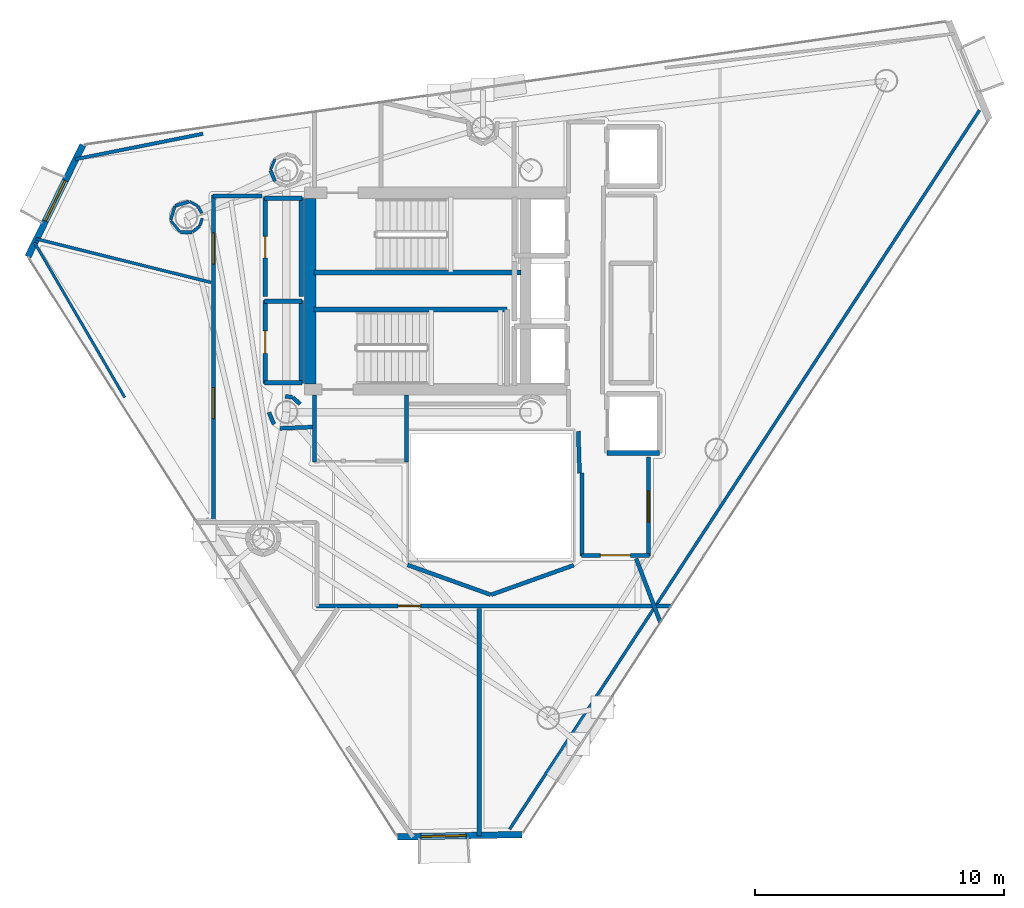
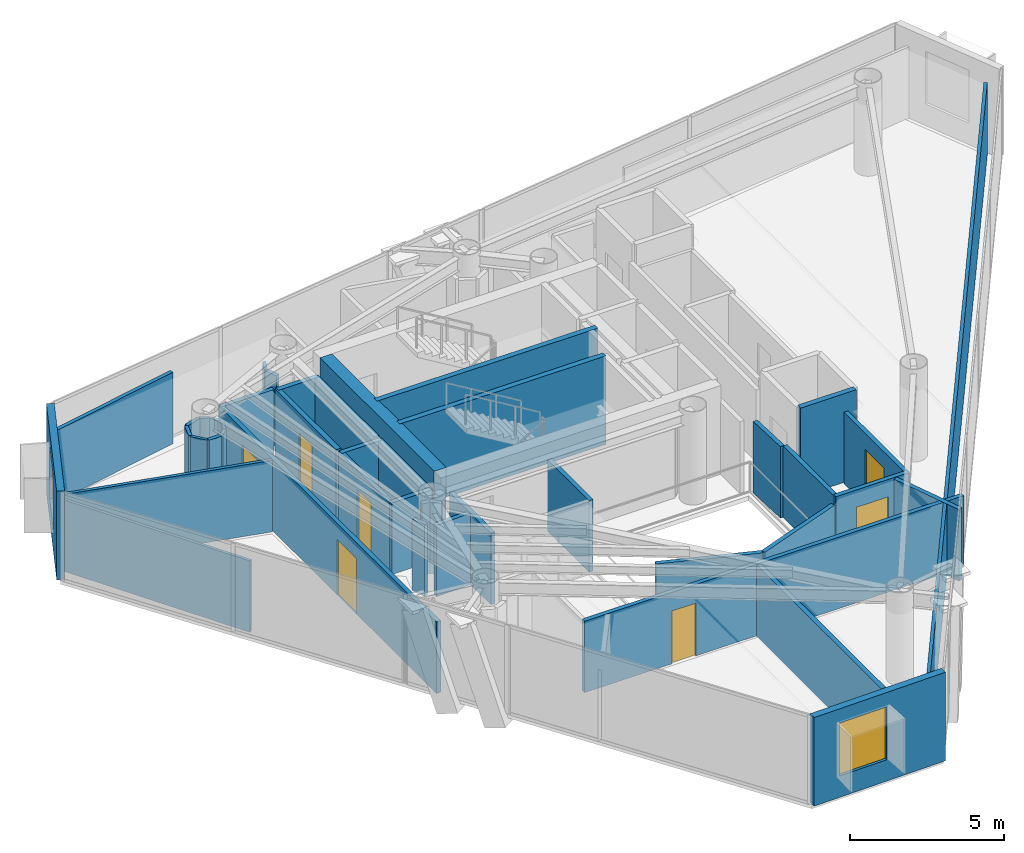
# One storey, part 20 of 25: 44 walls, 7 doors, 2 windows, 9 openings.
"""IFC4 building model written with IfcOpenShell, lengths in metres."""

from ifc_helpers import new_model, si_unit, direction, frame, frame_2d, origin, place, context, subcontext, project, spatial, rectangle, extrude, material, layer, layer_set, type_object, element, fill, save


model = new_model("IFC4")

# Units and contexts
model_context = context("Model", 3, precision=1e-05, world=origin(), true_north=direction((0.0, 1.0)))
body_context = subcontext(model_context, "Body", "Model", "MODEL_VIEW")
ifc_project = project(units=[si_unit("LENGTHUNIT", "METRE"), si_unit("AREAUNIT", "SQUARE_METRE"), si_unit("VOLUMEUNIT", "CUBIC_METRE"), si_unit("PLANEANGLEUNIT", "RADIAN"), si_unit("MASSUNIT", "GRAM", prefix="KILO")], contexts=[model_context])

# Site, building, storey
site_placement = place(None, origin())
site = spatial("IfcSite", under=ifc_project, at=site_placement, CompositionType="ELEMENT")
building_placement = place(site_placement, origin())
building = spatial("IfcBuilding", under=site, at=building_placement, Name="Qianvela Tower", CompositionType="ELEMENT")
storey_placement = place(building_placement, frame((0.0, 0.0, 288.0)))
storey = spatial("IfcBuildingStorey", under=building, at=storey_placement, Name="L74", CompositionType="ELEMENT", Elevation=288.0)

# Wall, opening, window
ifc_material_1 = material(Name="Terracotta Cladding on Concrete C40", Category="masonry")
ifc_layer_1 = layer(ifc_material_1, 0.260009765625)
ifc_layer_set_1 = layer_set([ifc_layer_1], Name="Terracotta Cladding on Concrete C40")
wall_type_1 = type_object("IfcWallType", Name="TERRACOTTA-WALL-260", PredefinedType="SOLIDWALL", material=ifc_layer_set_1)
wall_1_placement = place(storey_placement, frame((20.436279296875, 34.563232421875, 0.0), z_axis=(0.0, 0.0, 1.0), x_axis=(-0.440488239438, -0.897758381145, 0.0)))
wall_1 = element("IfcWall", 1, at=wall_1_placement, inside=storey, type_object=wall_type_1, Name="L74 Terracotta Chamfer Facet Wall 3", PredefinedType="SOLIDWALL", context=body_context, shape_type="SweptSolid", body=[
    extrude(rectangle(XDim=4.989990234375, YDim=0.260009765625, at=frame_2d((2.4951171875, 0.0))), origin(), (0.0, 0.0, 1.0), 3.52001953125),
])
opening_1_placement = place(wall_1_placement, frame((1.594970703125, 0.0, 0.85009765625)))
opening_1 = element("IfcOpeningElement", 2, at=opening_1_placement, cuts=wall_1, Name="Opening W-01", PredefinedType="OPENING", context=body_context, shape_type="SweptSolid", body=[
    extrude(rectangle(XDim=1.800048828125, YDim=2.10009765625, at=frame_2d((0.89990234375, 1.050048828125))), frame((0.0, 0.139892578125, 0.0), z_axis=(0.0, -1.0, 0.0), x_axis=(1.0, 0.0, 0.0)), (0.0, 0.0, 1.0), 0.280029296875),
])
ifc_material_2 = material(Name="Thermally Broken Aluminium and Low-E Glass", Category="aluminium")
window_type = type_object("IfcWindowType", Name="WIN-TC-1800x2100", PartitioningType="DOUBLE_PANEL_VERTICAL", PredefinedType="WINDOW", material=ifc_material_2)
window_1_placement = place(opening_1_placement, origin())
window_1 = element("IfcWindow", 3, at=window_1_placement, inside=storey, type_object=window_type, Name="L74 Chamfer Facet Window 3.1", OverallHeight=2.10009765625, OverallWidth=1.800048828125, PartitioningType="SINGLE_PANEL", PredefinedType="WINDOW", context=body_context, shape_type="SweptSolid", body=[
    extrude(rectangle(XDim=1.800048828125, YDim=2.10009765625, at=frame_2d((0.89990234375, 1.050048828125))), frame((0.0, 0.030029296875, 0.0), z_axis=(0.0, -1.0, 0.0), x_axis=(1.0, 0.0, 0.0)), (0.0, 0.0, 1.0), 0.06005859375),
])
fill(opening_1, window_1)

wall_2_placement = place(storey_placement, frame((33.047119140625, 6.8203125, 0.0), z_axis=(0.0, 0.0, 1.0), x_axis=(0.999816998349, 0.019130337478, 0.0)))
wall_2 = element("IfcWall", 4, at=wall_2_placement, inside=storey, type_object=wall_type_1, Name="L74 Terracotta Chamfer Facet Wall 5", PredefinedType="SOLIDWALL", context=body_context, shape_type="SweptSolid", body=[
    extrude(rectangle(XDim=4.989990234375, YDim=0.260009765625, at=frame_2d((2.4951171875, 0.0))), origin(), (0.0, 0.0, 1.0), 3.52001953125),
])
opening_2_placement = place(wall_2_placement, frame((0.955078125, 0.0, 0.85009765625)))
opening_2 = element("IfcOpeningElement", 5, at=opening_2_placement, cuts=wall_2, Name="Opening W-01", PredefinedType="OPENING", context=body_context, shape_type="SweptSolid", body=[
    extrude(rectangle(XDim=1.800048828125, YDim=2.10009765625, at=frame_2d((0.89990234375, 1.050048828125))), frame((0.0, 0.139892578125, 0.0), z_axis=(0.0, -1.0, 0.0), x_axis=(1.0, 0.0, 0.0)), (0.0, 0.0, 1.0), 0.280029296875),
])
window_2_placement = place(opening_2_placement, origin())
window_2 = element("IfcWindow", 6, at=window_2_placement, inside=storey, type_object=window_type, Name="L74 Chamfer Facet Window 5.1", OverallHeight=2.10009765625, OverallWidth=1.800048828125, PartitioningType="SINGLE_PANEL", PredefinedType="WINDOW", context=body_context, shape_type="SweptSolid", body=[
    extrude(rectangle(XDim=1.800048828125, YDim=2.10009765625, at=frame_2d((0.89990234375, 1.050048828125))), frame((0.0, 0.030029296875, 0.0), z_axis=(0.0, -1.0, 0.0), x_axis=(1.0, 0.0, 0.0)), (0.0, 0.0, 1.0), 0.06005859375),
])
fill(opening_2, window_2)

# Walls
ifc_material_3 = material(Name="Concrete C50", Category="concrete")
ifc_layer_2 = layer(ifc_material_3, 0.449951171875)
ifc_layer_set_2 = layer_set([ifc_layer_2], Name="Concrete C50")
wall_type_2 = type_object("IfcWallType", Name="WT-CORE-450", PredefinedType="SHEAR", material=ifc_layer_set_2)
wall_3_placement = place(storey_placement, frame((29.554931640625, 24.97998046875, 0.0), z_axis=(0.0, 0.0, 1.0), x_axis=(0.0, 1.0, 0.0)))
element("IfcWall", 7, at=wall_3_placement, inside=storey, type_object=wall_type_2, Name="L74 West Core Shear Wall", PredefinedType="SHEAR", context=body_context, shape_type="SweptSolid", body=[
    extrude(rectangle(XDim=7.43994140625, YDim=0.449951171875, at=frame_2d((3.719970703125, 0.0))), origin(), (0.0, 0.0, 1.0), 3.52001953125),
])
ifc_material_4 = material(Name="Fire-Rated Gypsum and Concrete Block", Category="concrete")
ifc_layer_3 = layer(ifc_material_4, 0.159912109375)
ifc_layer_set_3 = layer_set([ifc_layer_3], Name="Fire-Rated Gypsum and Concrete Block")
wall_type_3 = type_object("IfcWallType", Name="WT-CORR-160", PredefinedType="PARTITIONING", material=ifc_layer_set_3)
for number, where, z_axis, x_axis, name in (
    (8, (29.73095703125, 21.85009765625, 0.0), (0.0, 0.0, 1.0), (0.0, 1.0, 0.0), "L74 Partition 6"),
    (9, (33.4189453125, 24.5419921875, 0.0), (0.0, 0.0, 1.0), (0.0, -1.0, 0.0), "L74 Partition 8"),
):
    element("IfcWall", number, at=place(storey_placement, frame(where, z_axis=z_axis, x_axis=x_axis)), inside=storey, type_object=wall_type_3, Name=name, PredefinedType="PARTITIONING", context=body_context, shape_type="SweptSolid", body=[
        extrude(rectangle(XDim=2.69189453125, YDim=0.159912109375, at=frame_2d((1.345947265625, 0.0))), origin(), (0.0, 0.0, 1.0), 2.840087890625),
    ])
wall_4_placement = place(storey_placement, frame((40.35107421875, 21.40087890625, 0.0), z_axis=(0.0, 0.0, 1.0), x_axis=(-0.031058045979, 0.999517582527, 0.0)))
element("IfcWall", 10, at=wall_4_placement, inside=storey, type_object=wall_type_3, Name="L74 Partition 9", PredefinedType="PARTITIONING", context=body_context, shape_type="SweptSolid", body=[
    extrude(rectangle(XDim=1.68212890625, YDim=0.159912109375, at=frame_2d((0.841064453125, 0.0))), origin(), (0.0, 0.0, 1.0), 2.840087890625),
])

# Wall, opening, door
wall_5_placement = place(storey_placement, frame((43.118896484375, 22.050048828125, 0.0), z_axis=(0.0, 0.0, 1.0), x_axis=(0.0, -1.0, 0.0)))
wall_5 = element("IfcWall", 11, at=wall_5_placement, inside=storey, type_object=wall_type_3, Name="L74 Partition 16", PredefinedType="PARTITIONING", context=body_context, shape_type="SweptSolid", body=[
    extrude(rectangle(XDim=3.969970703125, YDim=0.159912109375, at=frame_2d((1.98486328125, 0.0))), origin(), (0.0, 0.0, 1.0), 2.840087890625),
])
opening_3_placement = place(wall_5_placement, frame((1.360107421875, 0.0, 0.0)))
opening_3 = element("IfcOpeningElement", 12, at=opening_3_placement, cuts=wall_5, Name="Opening D-LG1", PredefinedType="OPENING", context=body_context, shape_type="SweptSolid", body=[
    extrude(rectangle(XDim=1.25, YDim=2.199951171875, at=frame_2d((0.625, 1.10009765625))), frame((0.0, 0.08984375, 0.0), z_axis=(0.0, -1.0, 0.0), x_axis=(1.0, 0.0, 0.0)), (0.0, 0.0, 1.0), 0.179931640625),
])
ifc_material_5 = material(Name="Anodised Aluminium Acoustic Glass Door", Category="aluminium")
door_type_1 = type_object("IfcDoorType", Name="DT-LOUNGE-1250", OperationType="NOTDEFINED", PredefinedType="DOOR", material=ifc_material_5)
door_1_placement = place(opening_3_placement, origin())
door_1 = element("IfcDoor", 13, at=door_1_placement, inside=storey, type_object=door_type_1, Name="L74 Door Campus Convenience Shop L74-03 to L74 Lift Lobby", OperationType="SINGLE_SWING_LEFT", OverallHeight=2.199951171875, OverallWidth=1.25, PredefinedType="DOOR", context=body_context, shape_type="SweptSolid", body=[
    extrude(rectangle(XDim=1.25, YDim=2.199951171875, at=frame_2d((0.625, 1.10009765625))), frame((0.0, 0.02490234375, 0.0), z_axis=(0.0, -1.0, 0.0), x_axis=(1.0, 0.0, 0.0)), (0.0, 0.0, 1.0), 0.050048828125),
])
fill(opening_3, door_1)

wall_6_placement = place(storey_placement, frame((43.14990234375, 18.111083984375, 0.0), z_axis=(0.0, 0.0, 1.0), x_axis=(-1.0, 0.0, 0.0)))
wall_6 = element("IfcWall", 14, at=wall_6_placement, inside=storey, type_object=wall_type_3, Name="L74 Partition 17", PredefinedType="PARTITIONING", context=body_context, shape_type="SweptSolid", body=[
    extrude(rectangle(XDim=2.72998046875, YDim=0.159912109375, at=frame_2d((1.364990234375, 0.0))), origin(), (0.0, 0.0, 1.0), 2.840087890625),
])
opening_4_placement = place(wall_6_placement, frame((0.764892578125, 0.0, 0.0)))
opening_4 = element("IfcOpeningElement", 15, at=opening_4_placement, cuts=wall_6, Name="Opening D-LB1", PredefinedType="OPENING", context=body_context, shape_type="SweptSolid", body=[
    extrude(rectangle(XDim=1.199951171875, YDim=2.14990234375, at=frame_2d((0.60009765625, 1.074951171875))), frame((0.0, 0.08984375, 0.0), z_axis=(0.0, -1.0, 0.0), x_axis=(1.0, 0.0, 0.0)), (0.0, 0.0, 1.0), 0.179931640625),
])
ifc_material_6 = material(Name="Glazed Fire-Rated Steel Frame", Category="steel")
door_type_2 = type_object("IfcDoorType", Name="DT-LOBBY-FD90", OperationType="NOTDEFINED", PredefinedType="DOOR", material=ifc_material_6)
door_2_placement = place(opening_4_placement, origin())
door_2 = element("IfcDoor", 16, at=door_2_placement, inside=storey, type_object=door_type_2, Name="L74 Door L74 Lift Lobby to L74 Floor Corridor", OperationType="SINGLE_SWING_LEFT", OverallHeight=2.14990234375, OverallWidth=1.199951171875, PredefinedType="DOOR", context=body_context, shape_type="SweptSolid", body=[
    extrude(rectangle(XDim=1.199951171875, YDim=2.14990234375, at=frame_2d((0.60009765625, 1.074951171875))), frame((0.0, 0.02490234375, 0.0), z_axis=(0.0, -1.0, 0.0), x_axis=(1.0, 0.0, 0.0)), (0.0, 0.0, 1.0), 0.050048828125),
])
fill(opening_4, door_2)

# Walls
wall_7_placement = place(storey_placement, frame((40.450927734375, 18.080078125, 0.0), z_axis=(0.0, 0.0, 1.0), x_axis=(0.0, 1.0, 0.0)))
element("IfcWall", 17, at=wall_7_placement, inside=storey, type_object=wall_type_3, Name="L74 Partition 18 seg 1", PredefinedType="PARTITIONING", context=body_context, shape_type="SweptSolid", body=[
    extrude(rectangle(XDim=3.31982421875, YDim=0.159912109375, at=frame_2d((1.659912109375, 0.0))), origin(), (0.0, 0.0, 1.0), 2.840087890625),
])
wall_8_placement = place(storey_placement, frame((29.148681640625, 24.173095703125, 0.0), z_axis=(0.0, 0.0, 1.0), x_axis=(-0.745225165416, 0.666812906917, 0.0)))
element("IfcWall", 18, at=wall_8_placement, inside=storey, type_object=wall_type_3, Name="L74 Partition 47", PredefinedType="PARTITIONING", context=body_context, shape_type="SweptSolid", body=[
    extrude(rectangle(XDim=0.3955078125, YDim=0.159912109375, at=frame_2d((0.19775390625, 0.0))), origin(), (0.0, 0.0, 1.0), 2.840087890625),
])
wall_9_placement = place(storey_placement, frame((28.837890625, 24.444091796875, 0.0), z_axis=(0.0, 0.0, 1.0), x_axis=(-0.989449148305, 0.144880581578, 0.0)))
element("IfcWall", 19, at=wall_9_placement, inside=storey, type_object=wall_type_3, Name="L74 Partition 48", PredefinedType="PARTITIONING", context=body_context, shape_type="SweptSolid", body=[
    extrude(rectangle(XDim=0.286376953125, YDim=0.159912109375, at=frame_2d((0.14306640625, 0.0))), origin(), (0.0, 0.0, 1.0), 2.840087890625),
])
wall_10_placement = place(storey_placement, frame((27.9013671875, 23.838134765625, 0.0), z_axis=(0.0, 0.0, 1.0), x_axis=(0.382856448334, -0.923807847969, 0.0)))
element("IfcWall", 20, at=wall_10_placement, inside=storey, type_object=wall_type_3, Name="L74 Partition 58", PredefinedType="PARTITIONING", context=body_context, shape_type="SweptSolid", body=[
    extrude(rectangle(XDim=0.5126953125, YDim=0.159912109375, at=frame_2d((0.25634765625, 0.0))), origin(), (0.0, 0.0, 1.0), 2.840087890625),
])
wall_11_placement = place(storey_placement, frame((28.3447265625, 23.199951171875, 0.0), z_axis=(0.0, 0.0, 1.0), x_axis=(0.999216536924, 0.039576664043, 0.0)))
element("IfcWall", 21, at=wall_11_placement, inside=storey, type_object=wall_type_3, Name="L74 Partition 59", PredefinedType="PARTITIONING", context=body_context, shape_type="SweptSolid", body=[
    extrude(rectangle(XDim=1.29541015625, YDim=0.159912109375, at=frame_2d((0.647705078125, 0.0))), origin(), (0.0, 0.0, 1.0), 2.840087890625),
])
wall_12_placement = place(storey_placement, frame((33.45751953125, 17.723876953125, 0.0), z_axis=(0.0, 0.0, 1.0), x_axis=(0.94128854789, -0.337603124408, 0.0)))
element("IfcWall", 22, at=wall_12_placement, inside=storey, type_object=wall_type_3, Name="L74 Partition 62", PredefinedType="PARTITIONING", context=body_context, shape_type="SweptSolid", body=[
    extrude(rectangle(XDim=3.539794921875, YDim=0.159912109375, at=frame_2d((1.77001953125, 0.0))), origin(), (0.0, 0.0, 1.0), 2.840087890625),
])
wall_13_placement = place(storey_placement, frame((36.810302734375, 16.52880859375, 0.0), z_axis=(0.0, 0.0, 1.0), x_axis=(0.941548344365, 0.33687789364, 0.0)))
element("IfcWall", 23, at=wall_13_placement, inside=storey, type_object=wall_type_3, Name="L74 Partition 63", PredefinedType="PARTITIONING", context=body_context, shape_type="SweptSolid", body=[
    extrude(rectangle(XDim=3.5126953125, YDim=0.159912109375, at=frame_2d((1.75634765625, 0.0))), origin(), (0.0, 0.0, 1.0), 2.840087890625),
])
wall_14_placement = place(storey_placement, frame((42.618896484375, 17.97998046875, 0.0), z_axis=(0.0, 0.0, 1.0), x_axis=(0.354310790583, -0.935127725862, 0.0)))
element("IfcWall", 24, at=wall_14_placement, inside=storey, type_object=wall_type_3, Name="L74 Partition 65", PredefinedType="PARTITIONING", context=body_context, shape_type="SweptSolid", body=[
    extrude(rectangle(XDim=2.7431640625, YDim=0.159912109375, at=frame_2d((1.37158203125, 0.0))), origin(), (0.0, 0.0, 1.0), 2.840087890625),
])

# Wall, opening, door
wall_15_placement = place(storey_placement, frame((44.04638671875, 16.0810546875, 0.0), z_axis=(0.0, 0.0, 1.0), x_axis=(-1.0, 0.0, 0.0)))
wall_15 = element("IfcWall", 25, at=wall_15_placement, inside=storey, type_object=wall_type_3, Name="L74 Partition 66", PredefinedType="PARTITIONING", context=body_context, shape_type="SweptSolid", body=[
    extrude(rectangle(XDim=14.246337890625, YDim=0.159912109375, at=frame_2d((7.123046875, 0.0))), origin(), (0.0, 0.0, 1.0), 2.840087890625),
])
opening_5_placement = place(wall_15_placement, frame((10.068603515625, 0.0, 0.0)))
opening_5 = element("IfcOpeningElement", 26, at=opening_5_placement, cuts=wall_15, Name="Opening D-KT1", PredefinedType="OPENING", context=body_context, shape_type="SweptSolid", body=[
    extrude(rectangle(XDim=0.89990234375, YDim=2.10009765625, at=frame_2d((0.449951171875, 1.050048828125))), frame((0.0, 0.08984375, 0.0), z_axis=(0.0, -1.0, 0.0), x_axis=(1.0, 0.0, 0.0)), (0.0, 0.0, 1.0), 0.179931640625),
])
ifc_material_7 = material(Name="Glazed Timber Kitchen Door", Category="wood")
door_type_3 = type_object("IfcDoorType", Name="DT-KITCH-900", OperationType="NOTDEFINED", PredefinedType="DOOR", material=ifc_material_7)
door_3_placement = place(opening_5_placement, origin())
door_3 = element("IfcDoor", 27, at=door_3_placement, inside=storey, type_object=door_type_3, Name="L74 Door Student Tea Pantry L74-02 to L74 Floor Corridor", OperationType="SINGLE_SWING_RIGHT", OverallHeight=2.10009765625, OverallWidth=0.89990234375, PredefinedType="DOOR", context=body_context, shape_type="SweptSolid", body=[
    extrude(rectangle(XDim=0.89990234375, YDim=2.10009765625, at=frame_2d((0.449951171875, 1.050048828125))), frame((0.0, 0.02490234375, 0.0), z_axis=(0.0, -1.0, 0.0), x_axis=(1.0, 0.0, 0.0)), (0.0, 0.0, 1.0), 0.050048828125),
])
fill(opening_5, door_3)

# Wall, openings, doors
wall_16_placement = place(storey_placement, frame((25.680908203125, 18.37158203125, 0.0), z_axis=(0.0, 0.0, 1.0), x_axis=(0.0, 1.0, 0.0)))
wall_16 = element("IfcWall", 28, at=wall_16_placement, inside=storey, type_object=wall_type_3, Name="L74 Partition 69", PredefinedType="PARTITIONING", context=body_context, shape_type="SweptSolid", body=[
    extrude(rectangle(XDim=14.178466796875, YDim=0.159912109375, at=frame_2d((7.08935546875, 0.0))), origin(), (0.0, 0.0, 1.0), 2.840087890625),
])
opening_6_placement = place(wall_16_placement, frame((11.41650390625, 0.0, 0.0)))
opening_6 = element("IfcOpeningElement", 29, at=opening_6_placement, cuts=wall_16, Name="Opening D-LG1", PredefinedType="OPENING", context=body_context, shape_type="SweptSolid", body=[
    extrude(rectangle(XDim=1.25, YDim=2.199951171875, at=frame_2d((0.625, 1.10009765625))), frame((0.0, 0.08984375, 0.0), z_axis=(0.0, -1.0, 0.0), x_axis=(1.0, 0.0, 0.0)), (0.0, 0.0, 1.0), 0.179931640625),
])
opening_7_placement = place(wall_16_placement, frame((5.215087890625, 0.0, 0.0)))
opening_7 = element("IfcOpeningElement", 30, at=opening_7_placement, cuts=wall_16, Name="Opening D-LG1", PredefinedType="OPENING", context=body_context, shape_type="SweptSolid", body=[
    extrude(rectangle(XDim=1.25, YDim=2.199951171875, at=frame_2d((0.625, 1.10009765625))), frame((0.0, 0.08984375, 0.0), z_axis=(0.0, -1.0, 0.0), x_axis=(1.0, 0.0, 0.0)), (0.0, 0.0, 1.0), 0.179931640625),
])
door_4_placement = place(opening_6_placement, origin())
door_4 = element("IfcDoor", 31, at=door_4_placement, inside=storey, type_object=door_type_1, Name="L74 Door Student Bookshop Market L74-04 to L74 Floor Corridor", OperationType="SINGLE_SWING_RIGHT", OverallHeight=2.199951171875, OverallWidth=1.25, PredefinedType="DOOR", context=body_context, shape_type="SweptSolid", body=[
    extrude(rectangle(XDim=1.25, YDim=2.199951171875, at=frame_2d((0.625, 1.10009765625))), frame((0.0, 0.02490234375, 0.0), z_axis=(0.0, -1.0, 0.0), x_axis=(1.0, 0.0, 0.0)), (0.0, 0.0, 1.0), 0.050048828125),
])
fill(opening_6, door_4)
door_5_placement = place(opening_7_placement, origin())
door_5 = element("IfcDoor", 32, at=door_5_placement, inside=storey, type_object=door_type_1, Name="L74 Door Student Wellness Lounge L74-05 to L74 Floor Corridor", OperationType="SINGLE_SWING_LEFT", OverallHeight=2.199951171875, OverallWidth=1.25, PredefinedType="DOOR", context=body_context, shape_type="SweptSolid", body=[
    extrude(rectangle(XDim=1.25, YDim=2.199951171875, at=frame_2d((0.625, 1.10009765625))), frame((0.0, 0.02490234375, 0.0), z_axis=(0.0, -1.0, 0.0), x_axis=(1.0, 0.0, 0.0)), (0.0, 0.0, 1.0), 0.050048828125),
])
fill(opening_7, door_5)

# Walls
wall_17_placement = place(storey_placement, frame((25.64990234375, 32.51904296875, 0.0), z_axis=(0.0, 0.0, 1.0), x_axis=(1.0, 0.0, 0.0)))
element("IfcWall", 33, at=wall_17_placement, inside=storey, type_object=wall_type_3, Name="L74 Partition 70", PredefinedType="PARTITIONING", context=body_context, shape_type="SweptSolid", body=[
    extrude(rectangle(XDim=1.97021484375, YDim=0.159912109375, at=frame_2d((0.985107421875, 0.0))), origin(), (0.0, 0.0, 1.0), 2.840087890625),
])
ifc_material_8 = material(Name="Lightweight Gypsum Room Partition")
ifc_layer_4 = layer(ifc_material_8, 0.10498046875)
ifc_layer_set_4 = layer_set([ifc_layer_4], Name="Lightweight Gypsum Room Partition")
wall_type_4 = type_object("IfcWallType", Name="WT-PART-105", PredefinedType="PARTITIONING", material=ifc_layer_set_4)
wall_18_placement = place(storey_placement, frame((25.032958984375, 32.12158203125, 0.0), z_axis=(0.0, 0.0, 1.0), x_axis=(-0.881817981942, 0.471589913721, 0.0)))
element("IfcWall", 34, at=wall_18_placement, inside=storey, type_object=wall_type_4, Name="L74 Partition 119", PredefinedType="PARTITIONING", context=body_context, shape_type="SweptSolid", body=[
    extrude(rectangle(XDim=0.35400390625, YDim=0.10498046875, at=frame_2d((0.177001953125, 0.0))), origin(), (0.0, 0.0, 1.0), 2.840087890625),
])
wall_19_placement = place(storey_placement, frame((23.96484375, 31.5244140625, 0.0), z_axis=(0.0, 0.0, 1.0), x_axis=(0.634277575631, -0.77310539841, 0.0)))
element("IfcWall", 35, at=wall_19_placement, inside=storey, type_object=wall_type_4, Name="L74 Partition 122", PredefinedType="PARTITIONING", context=body_context, shape_type="SweptSolid", body=[
    extrude(rectangle(XDim=0.574951171875, YDim=0.10498046875, at=frame_2d((0.28759765625, 0.0))), origin(), (0.0, 0.0, 1.0), 2.840087890625),
])
wall_20_placement = place(storey_placement, frame((25.123779296875, 31.314697265625, 0.0), z_axis=(0.0, 0.0, 1.0), x_axis=(0.306761714687, 0.951786347035, 0.0)))
element("IfcWall", 36, at=wall_20_placement, inside=storey, type_object=wall_type_4, Name="L74 Partition 125", PredefinedType="PARTITIONING", context=body_context, shape_type="SweptSolid", body=[
    extrude(rectangle(XDim=0.325439453125, YDim=0.10498046875, at=frame_2d((0.16259765625, 0.0))), origin(), (0.0, 0.0, 1.0), 2.840087890625),
])
wall_21_placement = place(storey_placement, frame((28.139892578125, 33.9931640625, 0.0), z_axis=(0.0, 0.0, 1.0), x_axis=(-0.382459617246, -0.923972208011, 0.0)))
element("IfcWall", 37, at=wall_21_placement, inside=storey, type_object=wall_type_4, Name="L74 Partition 134", PredefinedType="PARTITIONING", context=body_context, shape_type="SweptSolid", body=[
    extrude(rectangle(XDim=0.466552734375, YDim=0.10498046875, at=frame_2d((0.2333984375, 0.0))), origin(), (0.0, 0.0, 1.0), 2.840087890625),
])
wall_22_placement = place(storey_placement, frame((22.11669921875, 24.437744140625, 0.0), z_axis=(0.0, 0.0, 1.0), x_axis=(-0.50301807404, 0.864275891825, 0.0)))
element("IfcWall", 38, at=wall_22_placement, inside=storey, type_object=wall_type_4, Name="L74 Partition 140 seg 2", PredefinedType="PARTITIONING", context=body_context, shape_type="SweptSolid", body=[
    extrude(rectangle(XDim=7.19189453125, YDim=0.10498046875, at=frame_2d((3.595947265625, 0.0))), origin(), (0.0, 0.0, 1.0), 2.840087890625),
])
ifc_material_9 = material(Name="Insulated Gypsum Stud Partition")
ifc_layer_5 = layer(ifc_material_9, 0.1201171875)
ifc_layer_set_5 = layer_set([ifc_layer_5], Name="Insulated Gypsum Stud Partition")
wall_type_5 = type_object("IfcWallType", Name="WT-PART-120", PredefinedType="PARTITIONING", material=ifc_layer_set_5)
wall_23_placement = place(storey_placement, frame((56.38671875, 35.954833984375, 0.0), z_axis=(0.0, 0.0, 1.0), x_axis=(-0.547085490545, -0.837076738439, 0.0)))
element("IfcWall", 39, at=wall_23_placement, inside=storey, type_object=wall_type_5, Name="L74 Partition 112", PredefinedType="PARTITIONING", context=body_context, shape_type="SweptSolid", body=[
    extrude(rectangle(XDim=34.442626953125, YDim=0.1201171875, at=frame_2d((17.22119140625, 0.0))), origin(), (0.0, 0.0, 1.0), 2.840087890625),
])
wall_24_placement = place(storey_placement, frame((25.20263671875, 31.8291015625, 0.0), z_axis=(0.0, 0.0, 1.0), x_axis=(-0.488926990846, 0.872324708823, 0.0)))
element("IfcWall", 40, at=wall_24_placement, inside=storey, type_object=wall_type_5, Name="L74 Partition 118", PredefinedType="PARTITIONING", context=body_context, shape_type="SweptSolid", body=[
    extrude(rectangle(XDim=0.321533203125, YDim=0.1201171875, at=frame_2d((0.16064453125, 0.0))), origin(), (0.0, 0.0, 1.0), 2.840087890625),
])
wall_25_placement = place(storey_placement, frame((24.1259765625, 32.103271484375, 0.0), z_axis=(0.0, 0.0, 1.0), x_axis=(-0.290384423064, -0.956910072495, 0.0)))
element("IfcWall", 41, at=wall_25_placement, inside=storey, type_object=wall_type_5, Name="L74 Partition 121", PredefinedType="PARTITIONING", context=body_context, shape_type="SweptSolid", body=[
    extrude(rectangle(XDim=0.574951171875, YDim=0.1201171875, at=frame_2d((0.28759765625, 0.0))), origin(), (0.0, 0.0, 1.0), 2.840087890625),
])
wall_26_placement = place(storey_placement, frame((24.840087890625, 31.075439453125, 0.0), z_axis=(0.0, 0.0, 1.0), x_axis=(0.773281307259, 0.634063103992, 0.0)))
element("IfcWall", 42, at=wall_26_placement, inside=storey, type_object=wall_type_5, Name="L74 Partition 124", PredefinedType="PARTITIONING", context=body_context, shape_type="SweptSolid", body=[
    extrude(rectangle(XDim=0.354248046875, YDim=0.1201171875, at=frame_2d((0.17724609375, 0.0))), origin(), (0.0, 0.0, 1.0), 2.840087890625),
])
wall_27_placement = place(storey_placement, frame((25.577392578125, 29.0478515625, 0.0), z_axis=(0.0, 0.0, 1.0), x_axis=(-0.970297325038, 0.241915483226, 0.0)))
element("IfcWall", 43, at=wall_27_placement, inside=storey, type_object=wall_type_5, Name="L74 Partition 127", PredefinedType="PARTITIONING", context=body_context, shape_type="SweptSolid", body=[
    extrude(rectangle(XDim=7.225830078125, YDim=0.1201171875, at=frame_2d((3.61279296875, 0.0))), origin(), (0.0, 0.0, 1.0), 2.840087890625),
])

# Wall, opening, door
ifc_material_10 = material(Name="Moisture-Resistant Acoustic Plumbing Wall")
ifc_layer_6 = layer(ifc_material_10, 0.175048828125)
ifc_layer_set_6 = layer_set([ifc_layer_6], Name="Moisture-Resistant Acoustic Plumbing Wall")
wall_type_6 = type_object("IfcWallType", Name="WT-PLUMB-175", PredefinedType="PLUMBINGWALL", material=ifc_layer_set_6)
wall_28_placement = place(storey_placement, frame((27.7509765625, 25.0, 0.0), z_axis=(0.0, 0.0, 1.0), x_axis=(0.0, 1.0, 0.0)))
wall_28 = element("IfcWall", 44, at=wall_28_placement, inside=storey, type_object=wall_type_6, Name="L74 Partition 23", PredefinedType="PLUMBINGWALL", context=body_context, shape_type="SweptSolid", body=[
    extrude(rectangle(XDim=3.320068359375, YDim=0.175048828125, at=frame_2d((1.66015625, 0.0))), origin(), (0.0, 0.0, 1.0), 2.840087890625),
])
opening_8_placement = place(wall_28_placement, frame((1.2099609375, 0.0, 0.0)))
opening_8 = element("IfcOpeningElement", 45, at=opening_8_placement, cuts=wall_28, Name="Opening D-KT1", PredefinedType="OPENING", context=body_context, shape_type="SweptSolid", body=[
    extrude(rectangle(XDim=0.89990234375, YDim=2.10009765625, at=frame_2d((0.449951171875, 1.050048828125))), frame((0.0, 0.097412109375, 0.0), z_axis=(0.0, -1.0, 0.0), x_axis=(1.0, 0.0, 0.0)), (0.0, 0.0, 1.0), 0.195068359375),
])
door_6_placement = place(opening_8_placement, origin())
door_6 = element("IfcDoor", 46, at=door_6_placement, inside=storey, type_object=door_type_3, Name="L74 Door L74 Core Tea Pantry West to L74 Floor Corridor", OperationType="SINGLE_SWING_RIGHT", OverallHeight=2.10009765625, OverallWidth=0.89990234375, PredefinedType="DOOR", context=body_context, shape_type="SweptSolid", body=[
    extrude(rectangle(XDim=0.89990234375, YDim=2.10009765625, at=frame_2d((0.449951171875, 1.050048828125))), frame((0.0, 0.02490234375, 0.0), z_axis=(0.0, -1.0, 0.0), x_axis=(1.0, 0.0, 0.0)), (0.0, 0.0, 1.0), 0.050048828125),
])
fill(opening_8, door_6)

# Walls
wall_29_placement = place(storey_placement, frame((27.719970703125, 28.2890625, 0.0), z_axis=(0.0, 0.0, 1.0), x_axis=(1.0, 0.0, 0.0)))
element("IfcWall", 47, at=wall_29_placement, inside=storey, type_object=wall_type_6, Name="L74 Partition 24", PredefinedType="PLUMBINGWALL", context=body_context, shape_type="SweptSolid", body=[
    extrude(rectangle(XDim=1.5, YDim=0.175048828125, at=frame_2d((0.75, 0.0))), origin(), (0.0, 0.0, 1.0), 2.840087890625),
])
wall_30_placement = place(storey_placement, frame((29.18896484375, 28.320068359375, 0.0), z_axis=(0.0, 0.0, 1.0), x_axis=(0.0, -1.0, 0.0)))
element("IfcWall", 48, at=wall_30_placement, inside=storey, type_object=wall_type_6, Name="L74 Partition 25", PredefinedType="PLUMBINGWALL", context=body_context, shape_type="SweptSolid", body=[
    extrude(rectangle(XDim=3.320068359375, YDim=0.175048828125, at=frame_2d((1.66015625, 0.0))), origin(), (0.0, 0.0, 1.0), 2.840087890625),
])
wall_31_placement = place(storey_placement, frame((29.219970703125, 25.031005859375, 0.0), z_axis=(0.0, 0.0, 1.0), x_axis=(-1.0, 0.0, 0.0)))
element("IfcWall", 49, at=wall_31_placement, inside=storey, type_object=wall_type_6, Name="L74 Partition 26", PredefinedType="PLUMBINGWALL", context=body_context, shape_type="SweptSolid", body=[
    extrude(rectangle(XDim=1.5, YDim=0.175048828125, at=frame_2d((0.75, 0.0))), origin(), (0.0, 0.0, 1.0), 2.840087890625),
])

# Wall, opening, door
wall_32_placement = place(storey_placement, frame((27.7509765625, 28.47998046875, 0.0), z_axis=(0.0, 0.0, 1.0), x_axis=(0.0, 1.0, 0.0)))
wall_32 = element("IfcWall", 50, at=wall_32_placement, inside=storey, type_object=wall_type_6, Name="L74 Partition 27", PredefinedType="PLUMBINGWALL", context=body_context, shape_type="SweptSolid", body=[
    extrude(rectangle(XDim=3.969970703125, YDim=0.175048828125, at=frame_2d((1.98486328125, 0.0))), origin(), (0.0, 0.0, 1.0), 2.840087890625),
])
opening_9_placement = place(wall_32_placement, frame((1.554931640625, 0.0, 0.0)))
opening_9 = element("IfcOpeningElement", 51, at=opening_9_placement, cuts=wall_32, Name="Opening D-WC1", PredefinedType="OPENING", context=body_context, shape_type="SweptSolid", body=[
    extrude(rectangle(XDim=0.860107421875, YDim=2.050048828125, at=frame_2d((0.43017578125, 1.02490234375))), frame((0.0, 0.097412109375, 0.0), z_axis=(0.0, -1.0, 0.0), x_axis=(1.0, 0.0, 0.0)), (0.0, 0.0, 1.0), 0.195068359375),
])
ifc_material_11 = material(Name="Moisture-Sealed Acoustic Timber Door", Category="wood")
door_type_4 = type_object("IfcDoorType", Name="DT-WC-860", OperationType="NOTDEFINED", PredefinedType="DOOR", material=ifc_material_11)
door_7_placement = place(opening_9_placement, origin())
door_7 = element("IfcDoor", 52, at=door_7_placement, inside=storey, type_object=door_type_4, Name="L74 Door L74 Accessible WC to L74 Floor Corridor", OperationType="SINGLE_SWING_LEFT", OverallHeight=2.050048828125, OverallWidth=0.860107421875, PredefinedType="DOOR", context=body_context, shape_type="SweptSolid", body=[
    extrude(rectangle(XDim=0.860107421875, YDim=2.050048828125, at=frame_2d((0.43017578125, 1.02490234375))), frame((0.0, 0.02490234375, 0.0), z_axis=(0.0, -1.0, 0.0), x_axis=(1.0, 0.0, 0.0)), (0.0, 0.0, 1.0), 0.050048828125),
])
fill(opening_9, door_7)

# Walls
wall_33_placement = place(storey_placement, frame((27.719970703125, 32.4189453125, 0.0), z_axis=(0.0, 0.0, 1.0), x_axis=(1.0, 0.0, 0.0)))
element("IfcWall", 53, at=wall_33_placement, inside=storey, type_object=wall_type_6, Name="L74 Partition 28", PredefinedType="PLUMBINGWALL", context=body_context, shape_type="SweptSolid", body=[
    extrude(rectangle(XDim=1.5, YDim=0.175048828125, at=frame_2d((0.75, 0.0))), origin(), (0.0, 0.0, 1.0), 2.840087890625),
])
wall_34_placement = place(storey_placement, frame((29.18896484375, 32.449951171875, 0.0), z_axis=(0.0, 0.0, 1.0), x_axis=(0.0, -1.0, 0.0)))
element("IfcWall", 54, at=wall_34_placement, inside=storey, type_object=wall_type_6, Name="L74 Partition 29", PredefinedType="PLUMBINGWALL", context=body_context, shape_type="SweptSolid", body=[
    extrude(rectangle(XDim=3.969970703125, YDim=0.175048828125, at=frame_2d((1.98486328125, 0.0))), origin(), (0.0, 0.0, 1.0), 2.840087890625),
])
wall_35_placement = place(storey_placement, frame((36.327880859375, 15.972900390625, 0.0), z_axis=(0.0, 0.0, 1.0), x_axis=(0.0, -1.0, 0.0)))
element("IfcWall", 55, at=wall_35_placement, inside=storey, type_object=wall_type_6, Name="L74 Partition 87", PredefinedType="PLUMBINGWALL", context=body_context, shape_type="SweptSolid", body=[
    extrude(rectangle(XDim=9.10986328125, YDim=0.175048828125, at=frame_2d((4.554931640625, 0.0))), origin(), (0.0, 0.0, 1.0), 2.840087890625),
])
ifc_material_12 = material(Name="Acoustic Double Gypsum Stud Partition")
ifc_layer_7 = layer(ifc_material_12, 0.139892578125)
ifc_layer_set_7 = layer_set([ifc_layer_7], Name="Acoustic Double Gypsum Stud Partition")
wall_type_7 = type_object("IfcWallType", Name="WT-ROOM-140", PredefinedType="PARTITIONING", material=ifc_layer_set_7)
wall_36_placement = place(storey_placement, frame((24.697021484375, 32.291015625, 0.0), z_axis=(0.0, 0.0, 1.0), x_axis=(-0.956910072495, -0.290384423064, 0.0)))
element("IfcWall", 56, at=wall_36_placement, inside=storey, type_object=wall_type_7, Name="L74 Partition 120", PredefinedType="PARTITIONING", context=body_context, shape_type="SweptSolid", body=[
    extrude(rectangle(XDim=0.574951171875, YDim=0.139892578125, at=frame_2d((0.28759765625, 0.0))), origin(), (0.0, 0.0, 1.0), 2.840087890625),
])
wall_37_placement = place(storey_placement, frame((24.353515625, 31.068359375, 0.0), z_axis=(0.0, 0.0, 1.0), x_axis=(1.0, 0.0, 0.0)))
element("IfcWall", 57, at=wall_37_placement, inside=storey, type_object=wall_type_7, Name="L74 Partition 123", PredefinedType="PARTITIONING", context=body_context, shape_type="SweptSolid", body=[
    extrude(rectangle(XDim=0.466796875, YDim=0.139892578125, at=frame_2d((0.2333984375, 0.0))), origin(), (0.0, 0.0, 1.0), 2.840087890625),
])
wall_38_placement = place(storey_placement, frame((20.13623046875, 33.989013671875, 0.0), z_axis=(0.0, 0.0, 1.0), x_axis=(0.980720741486, 0.195414501046, 0.0)))
element("IfcWall", 58, at=wall_38_placement, inside=storey, type_object=wall_type_7, Name="L74 Partition 129 seg 1", PredefinedType="PARTITIONING", context=body_context, shape_type="SweptSolid", body=[
    extrude(rectangle(XDim=5.2197265625, YDim=0.139892578125, at=frame_2d((2.60986328125, 0.0))), origin(), (0.0, 0.0, 1.0), 2.840087890625),
])
wall_39_placement = place(storey_placement, frame((27.96142578125, 33.5380859375, 0.0), z_axis=(0.0, 0.0, 1.0), x_axis=(0.382274809242, -0.924048683901, 0.0)))
element("IfcWall", 59, at=wall_39_placement, inside=storey, type_object=wall_type_7, Name="L74 Partition 135", PredefinedType="PARTITIONING", context=body_context, shape_type="SweptSolid", body=[
    extrude(rectangle(XDim=0.466796875, YDim=0.139892578125, at=frame_2d((0.2333984375, 0.0))), origin(), (0.0, 0.0, 1.0), 2.840087890625),
])
ifc_material_13 = material(Name="Concrete C50", Category="concrete")
ifc_layer_8 = layer(ifc_material_13, 0.199951171875)
ifc_layer_set_8 = layer_set([ifc_layer_8], Name="Concrete C50")
wall_type_8 = type_object("IfcWallType", Name="WT-SHAFT-200", PredefinedType="SOLIDWALL", material=ifc_layer_set_8)
wall_40_placement = place(storey_placement, frame((29.699951171875, 29.449951171875, 0.0), z_axis=(0.0, 0.0, 1.0), x_axis=(1.0, 0.0, 0.0)))
element("IfcWall", 60, at=wall_40_placement, inside=storey, type_object=wall_type_8, Name="L74 Stair ST-1 South Wall", PredefinedType="SOLIDWALL", context=body_context, shape_type="SweptSolid", body=[
    extrude(rectangle(XDim=8.300048828125, YDim=0.199951171875, at=frame_2d((4.14990234375, 0.0))), origin(), (0.0, 0.0, 1.0), 3.52001953125),
])
wall_41_placement = place(storey_placement, frame((29.699951171875, 27.9599609375, 0.0), z_axis=(0.0, 0.0, 1.0), x_axis=(1.0, 0.0, 0.0)))
element("IfcWall", 61, at=wall_41_placement, inside=storey, type_object=wall_type_8, Name="L74 Stair ST-2 North Wall", PredefinedType="SOLIDWALL", context=body_context, shape_type="SweptSolid", body=[
    extrude(rectangle(XDim=7.75, YDim=0.199951171875, at=frame_2d((3.875, 0.0))), origin(), (0.0, 0.0, 1.0), 3.52001953125),
])
wall_42_placement = place(storey_placement, frame((41.449951171875, 22.219970703125, 0.0), z_axis=(0.0, 0.0, 1.0), x_axis=(1.0, 0.0, 0.0)))
element("IfcWall", 62, at=wall_42_placement, inside=storey, type_object=wall_type_8, Name="L74 Lift PL-H2 S Shaft Wall", PredefinedType="SOLIDWALL", context=body_context, shape_type="SweptSolid", body=[
    extrude(rectangle(XDim=2.10009765625, YDim=0.199951171875, at=frame_2d((1.050048828125, 0.0))), origin(), (0.0, 0.0, 1.0), 3.52001953125),
])

save(model, "model.ifc")
